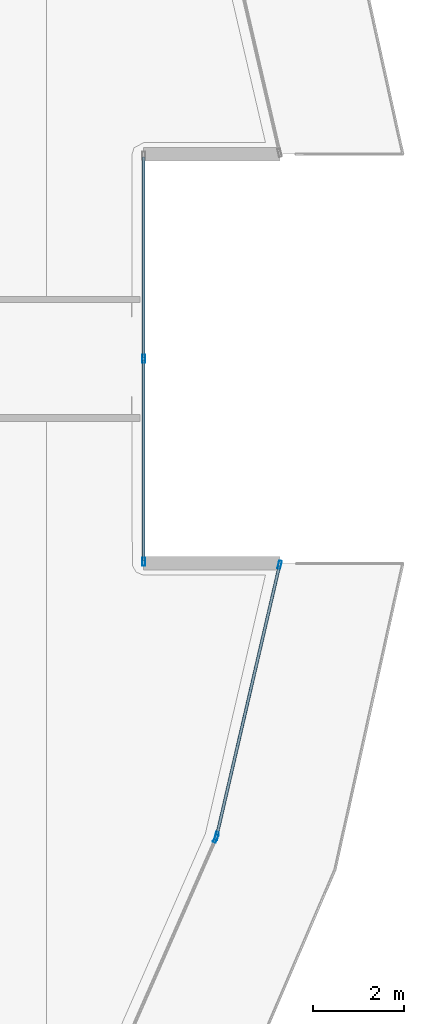
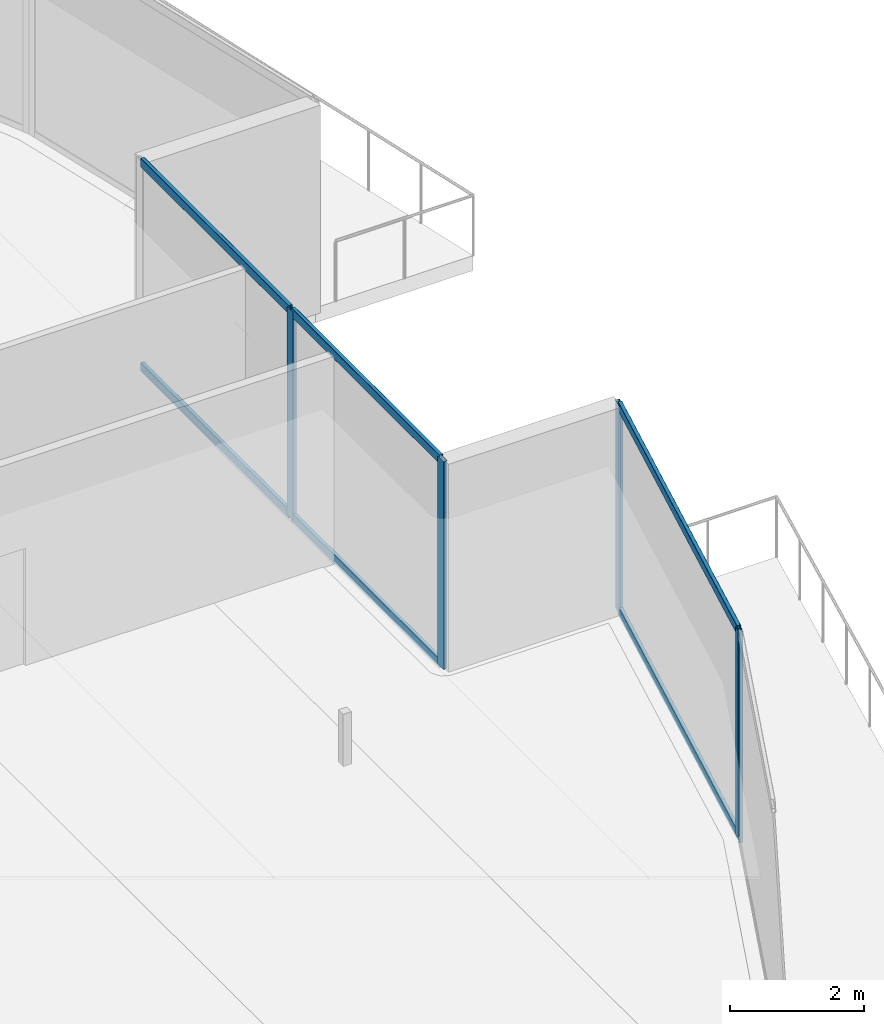
# One storey, part 14 of 36: 11 members, 3 elements without a shape of their own.
"""IFC4 building model written with IfcOpenShell, lengths in metres."""

import ifcopenshell
import ifcopenshell.guid

model = None  # the IFC model being written
_history = None  # IfcOwnerHistory: only IFC2X3 demands one
_inside = {}  # id of a spatial element -> (the spatial element, [elements in it])
_under = {}  # id of a project, library or spatial element -> (it, [spatial elements below it])
_declared = {}  # id of a project -> (the project, [libraries it declares])
_typed = {}  # id of a type object -> (the type object, [elements of that type])
_made_of = {}  # id of a material, layer set ... -> (it, [elements and type objects made of it])


def new_model(schema):
    """Start an empty IFC model of exactly this schema.

    Asked for "IFC4X3", IfcOpenShell would pick the latest addendum, in which some entities
    have other attributes; the version numbers below select the first issue.
    IFC2X3 requires an IfcOwnerHistory on every rooted entity: one is made here for all.
    """
    global model, _history
    if schema == "IFC4X3":
        model = ifcopenshell.file(schema_version=(4, 3, 0, 0))
    else:
        model = ifcopenshell.file(schema=schema)
    _inside.clear()
    _under.clear()
    _declared.clear()
    _typed.clear()
    _made_of.clear()
    _history = None
    if model.schema == "IFC2X3":
        org = make("IfcOrganization", Name="unknown")
        user = make(
            "IfcPersonAndOrganization",
            ThePerson=make("IfcPerson", FamilyName="unknown"),
            TheOrganization=org,
        )
        app = make(
            "IfcApplication",
            ApplicationDeveloper=org,
            Version="unknown",
            ApplicationFullName="unknown",
            ApplicationIdentifier="unknown",
        )
        _history = make(
            "IfcOwnerHistory",
            OwningUser=user,
            OwningApplication=app,
            ChangeAction="ADDED",
            CreationDate=0,
        )
    return model


def make(cls, **values):
    """One entity of the class cls with the attributes given. An attribute that is None is left unset."""
    return model.create_entity(
        cls, **{name: value for name, value in values.items() if value is not None}
    )


def rooted(cls, **values):
    """An entity with a GlobalId (a new one), such as an element, a storey or a relation."""
    return make(cls, GlobalId=ifcopenshell.guid.new(), OwnerHistory=_history, **values)


def si_unit(unit_type, name, prefix=None):
    """IfcSIUnit, for example si_unit("LENGTHUNIT", "METRE", prefix="MILLI")."""
    return make("IfcSIUnit", UnitType=unit_type, Prefix=prefix, Name=name)


def assignment(units):
    """IfcUnitAssignment: the units of a project."""
    return None if units is None else make("IfcUnitAssignment", Units=units)


def point(xyz):
    """IfcCartesianPoint."""
    return None if xyz is None else make("IfcCartesianPoint", Coordinates=xyz)


def direction(xyz):
    """IfcDirection."""
    return None if xyz is None else make("IfcDirection", DirectionRatios=xyz)


def frame(location, z_axis=None, x_axis=None):
    """IfcAxis2Placement3D, a coordinate frame: its origin and axes. An axis left out is left unset."""
    return make(
        "IfcAxis2Placement3D",
        Location=point(location),
        Axis=direction(z_axis),
        RefDirection=direction(x_axis),
    )


def frame_2d(location, x_axis=None):
    """IfcAxis2Placement2D, a coordinate frame in the plane: its origin and x axis."""
    return make(
        "IfcAxis2Placement2D", Location=point(location), RefDirection=direction(x_axis)
    )


def origin():
    """The frame at (0, 0, 0) with its axes left unset."""
    return frame((0.0, 0.0, 0.0))


def origin_2d():
    """The frame at (0, 0) in the plane with its x axis left unset."""
    return frame_2d((0.0, 0.0))


def place(relative_to, where):
    """IfcLocalPlacement: puts the frame where relative to a parent placement (None: the world)."""
    return make(
        "IfcLocalPlacement", PlacementRelTo=relative_to, RelativePlacement=where
    )


def context(
    kind, dimensions, precision=None, world=None, true_north=None, identifier=None
):
    """IfcGeometricRepresentationContext, for example the 3D "Model" context."""
    return make(
        "IfcGeometricRepresentationContext",
        ContextIdentifier=identifier,
        ContextType=kind,
        CoordinateSpaceDimension=dimensions,
        Precision=precision,
        WorldCoordinateSystem=world,
        TrueNorth=true_north,
    )


def subcontext(parent, identifier, kind, view, scale=None):
    """IfcGeometricRepresentationSubContext, for example "Body" below "Model"."""
    return make(
        "IfcGeometricRepresentationSubContext",
        ContextIdentifier=identifier,
        ContextType=kind,
        ParentContext=parent,
        TargetScale=scale,
        TargetView=view,
    )


def project(units=None, contexts=None):
    """IfcProject with its units and contexts."""
    return rooted(
        "IfcProject",
        Name="project",
        RepresentationContexts=contexts,
        UnitsInContext=assignment(units),
    )


def spatial(cls, under=None, at=None, **own):
    """A site, building, storey or space (cls), placed at a placement, below another one or the project."""
    s = rooted(cls, ObjectPlacement=at, **own)
    if under is not None:
        _under.setdefault(under.id(), (under, []))[1].append(s)
    return s


def profile(cls, at=None, kind="AREA", **sizes):
    """A parametric profile (cls). Its sizes go by their IFC names, for example OverallWidth=200.0."""
    return make(cls, ProfileType=kind, Position=at, **sizes)


def hollow_rectangle(**sizes):
    """IfcRectangleHollowProfileDef."""
    return profile("IfcRectangleHollowProfileDef", **sizes)


def extrude(swept, where, along, depth):
    """IfcExtrudedAreaSolid: the profile swept, set in the frame where, extruded along a direction by depth."""
    return make(
        "IfcExtrudedAreaSolid",
        SweptArea=swept,
        Position=where,
        ExtrudedDirection=direction(along),
        Depth=depth,
    )


def shape(context_of_items, identifier, shape_type, items):
    """IfcShapeRepresentation: the items that make up one representation, for example the "Body"."""
    return make(
        "IfcShapeRepresentation",
        ContextOfItems=context_of_items,
        RepresentationIdentifier=identifier,
        RepresentationType=shape_type,
        Items=items,
    )


def material(Name=None, Category=None):
    """IfcMaterial."""
    return make("IfcMaterial", Name=Name, Category=Category)


def layer(
    of_material, thickness, ventilated=None, Name=None, Category=None, Priority=None
):
    """IfcMaterialLayer: one layer of a wall or slab, of a material (None: an air gap)."""
    return make(
        "IfcMaterialLayer",
        Material=of_material,
        LayerThickness=thickness,
        IsVentilated=ventilated,
        Name=Name,
        Category=Category,
        Priority=Priority,
    )


def layer_set(layers, Name=None):
    """IfcMaterialLayerSet."""
    return make("IfcMaterialLayerSet", MaterialLayers=layers, LayerSetName=Name)


def material_profile(
    of_material, cross_section, Name=None, Category=None, Priority=None
):
    """IfcMaterialProfile: a cross section and its material."""
    return make(
        "IfcMaterialProfile",
        Name=Name,
        Material=of_material,
        Profile=cross_section,
        Priority=Priority,
        Category=Category,
    )


def profile_set(profiles, Name=None, composite=None):
    """IfcMaterialProfileSet."""
    return make(
        "IfcMaterialProfileSet",
        Name=Name,
        MaterialProfiles=profiles,
        CompositeProfile=composite,
    )


def made_of(thing, what):
    """Note that an element or type object is made of a material, layer set ...; save() writes the relation."""
    if what is not None:
        _made_of.setdefault(what.id(), (what, []))[1].append(thing)
    return thing


def type_object(cls, material=None, **own):
    """A type object (cls), such as IfcWallType, which elements share."""
    return made_of(rooted(cls, **own), material)


def element(
    cls,
    number,
    at=None,
    inside=None,
    cuts=None,
    type_object=None,
    material=None,
    context=None,
    identifier="Body",
    shape_type=None,
    held_by="IfcProductDefinitionShape",
    body=None,
    shapes=None,
    **own,
):
    """One element of the class cls, such as IfcWall. Its Tag is "e" and its number.

    at: its placement. inside: the storey or other place that contains it. cuts: it is an
    opening in that element (IfcRelVoidsElement). A single representation is given by context,
    identifier, shape_type and body (its items); several are given by shapes. held_by: the class
    of the entity that holds the representations. save() writes the other relations.
    """
    e = rooted(cls, Tag="e%d" % number, ObjectPlacement=at, **own)
    if body is not None:
        shapes = [shape(context, identifier, shape_type, body)]
    if shapes is not None:
        e.Representation = make(held_by, Representations=shapes)
    if inside is not None:
        _inside.setdefault(inside.id(), (inside, []))[1].append(e)
    if cuts is not None:
        rooted(
            "IfcRelVoidsElement", RelatingBuildingElement=cuts, RelatedOpeningElement=e
        )
    if type_object is not None:
        _typed.setdefault(type_object.id(), (type_object, []))[1].append(e)
    return made_of(e, material)


def aggregate(whole, parts):
    """IfcRelAggregates: a whole, such as a stair, and the parts it consists of."""
    return rooted("IfcRelAggregates", RelatingObject=whole, RelatedObjects=parts)


def save(model, path):
    """Write the relations noted so far, then the file.

    IfcRelAggregates (storeys below a building ...), IfcRelContainedInSpatialStructure (elements
    in a storey), IfcRelDefinesByType, IfcRelAssociatesMaterial and IfcRelDeclares: one each for
    every whole, place, type object, material and project.
    """
    for whole, parts in _under.values():
        aggregate(whole, parts)
    for where, things in _inside.values():
        rooted(
            "IfcRelContainedInSpatialStructure",
            RelatedElements=things,
            RelatingStructure=where,
        )
    for kind, things in _typed.values():
        rooted("IfcRelDefinesByType", RelatedObjects=things, RelatingType=kind)
    for what, things in _made_of.values():
        rooted("IfcRelAssociatesMaterial", RelatedObjects=things, RelatingMaterial=what)
    for by, libraries in _declared.values():
        rooted("IfcRelDeclares", RelatingContext=by, RelatedDefinitions=libraries)
    model.write(path)


model = new_model("IFC4")

# Units and contexts
model_context = context("Model", 3, precision=1e-05, world=origin(), true_north=direction((0.0, 1.0)))
body_context = subcontext(model_context, "Body", "Model", "MODEL_VIEW")
ifc_project = project(units=[si_unit("LENGTHUNIT", "METRE"), si_unit("AREAUNIT", "SQUARE_METRE"), si_unit("VOLUMEUNIT", "CUBIC_METRE"), si_unit("PLANEANGLEUNIT", "RADIAN"), si_unit("MASSUNIT", "GRAM", prefix="KILO")], contexts=[model_context])

# Site, building, storey
site_placement = place(None, origin())
site = spatial("IfcSite", under=ifc_project, at=site_placement, CompositionType="ELEMENT")
building_placement = place(site_placement, origin())
building = spatial("IfcBuilding", under=site, at=building_placement, Name="Qorvath Tower", CompositionType="ELEMENT")
storey_placement = place(building_placement, frame((0.0, 0.0, 192.89990234375)))
storey = spatial("IfcBuildingStorey", under=building, at=storey_placement, Name="L44", CompositionType="ELEMENT", Elevation=192.89990234375)

# Curtain wall, member
ifc_material_1 = material(Name="Anodised aluminium and triple low-E glass", Category="aluminium")
ifc_layer = layer(ifc_material_1, 0.179931640625)
ifc_layer_set = layer_set([ifc_layer], Name="CW-SYS-3")
curtain_wall_type = type_object("IfcCurtainWallType", Name="CW-SYS-3", PredefinedType="NOTDEFINED", material=ifc_layer_set)
curtain_wall_1_placement = place(storey_placement, origin())
curtain_wall_1 = element("IfcCurtainWall", 1, at=curtain_wall_1_placement, inside=storey, type_object=curtain_wall_type, Name="Curtain Wall CW-3 CW-T-L44-6.1", PredefinedType="NOTDEFINED")
ifc_material_2 = material(Name="Anodised aluminium 6063-T6", Category="aluminium")
ifc_material_profile_1 = material_profile(ifc_material_2, hollow_rectangle(XDim=0.06494140625, YDim=0.179931640625, WallThickness=0.00341796875, InnerFilletRadius=0.00341796875, OuterFilletRadius=0.007080078125, at=origin_2d()), Name="CWM 180x65")
ifc_profile_set_1 = profile_set([ifc_material_profile_1], Name="Anodised aluminium 6063-T6")
member_type_1 = type_object("IfcMemberType", Name="CWM-180", PredefinedType="MULLION", material=ifc_profile_set_1)
member_1_placement = place(storey_placement, frame((0.2646484375, -10.603515625, 0.0), z_axis=(0.0, 0.0, 1.0), x_axis=(-0.915498802884, 0.402320695364, 0.0)))
member_1 = element("IfcMember", 2, at=member_1_placement, type_object=member_type_1, Name="CW-3 mullion 2", PredefinedType="MULLION", context=body_context, shape_type="SweptSolid", body=[
    extrude(hollow_rectangle(XDim=0.06494140625, YDim=0.179931640625, WallThickness=0.00341796875, InnerFilletRadius=0.00341796875, OuterFilletRadius=0.007080078125, at=origin_2d()), origin(), (0.0, 0.0, 1.0), 3.780029296875),
])
aggregate(curtain_wall_1, [member_1])

# Curtain wall, members
curtain_wall_2_placement = place(storey_placement, origin())
curtain_wall_2 = element("IfcCurtainWall", 3, at=curtain_wall_2_placement, inside=storey, type_object=curtain_wall_type, Name="Curtain Wall CW-3 CW-T-L44-7.1", PredefinedType="NOTDEFINED")
member_2_placement = place(storey_placement, frame((0.28515625, -10.5419921875, 0.0), z_axis=(0.0, 0.0, 1.0), x_axis=(-0.974064216624, 0.226271743469, 0.0)))
member_2 = element("IfcMember", 4, at=member_2_placement, type_object=member_type_1, Name="CW-3 mullion 1", PredefinedType="MULLION", context=body_context, shape_type="SweptSolid", body=[
    extrude(hollow_rectangle(XDim=0.06494140625, YDim=0.179931640625, WallThickness=0.00341796875, InnerFilletRadius=0.00341796875, OuterFilletRadius=0.007080078125, at=origin_2d()), origin(), (0.0, 0.0, 1.0), 3.780029296875),
])
member_3_placement = place(storey_placement, frame((1.6767578125, -4.551513671875, 0.0), z_axis=(0.0, 0.0, 1.0), x_axis=(-0.974064216624, 0.226271743469, 0.0)))
member_3 = element("IfcMember", 5, at=member_3_placement, type_object=member_type_1, Name="CW-3 mullion 2", PredefinedType="MULLION", context=body_context, shape_type="SweptSolid", body=[
    extrude(hollow_rectangle(XDim=0.06494140625, YDim=0.179931640625, WallThickness=0.00341796875, InnerFilletRadius=0.00341796875, OuterFilletRadius=0.007080078125, at=origin_2d()), origin(), (0.0, 0.0, 1.0), 3.780029296875),
])

curtain_wall_3_placement = place(storey_placement, origin())
curtain_wall_3 = element("IfcCurtainWall", 6, at=curtain_wall_3_placement, inside=storey, type_object=curtain_wall_type, Name="Curtain Wall CW-3 CW-T-L44-9.1", PredefinedType="NOTDEFINED")
member_4_placement = place(storey_placement, frame((-1.3291015625, -4.4873046875, 0.0), z_axis=(0.0, 0.0, 1.0), x_axis=(-1.0, 0.0, 0.0)))
member_4 = element("IfcMember", 7, at=member_4_placement, type_object=member_type_1, Name="CW-3 mullion 1", PredefinedType="MULLION", context=body_context, shape_type="SweptSolid", body=[
    extrude(hollow_rectangle(XDim=0.06494140625, YDim=0.179931640625, WallThickness=0.00341796875, InnerFilletRadius=0.00341796875, OuterFilletRadius=0.007080078125, at=origin_2d()), origin(), (0.0, 0.0, 1.0), 3.780029296875),
])
member_5_placement = place(storey_placement, frame((-1.3291015625, 0.0, 0.0), z_axis=(0.0, 0.0, 1.0), x_axis=(-1.0, 0.0, 0.0)))
member_5 = element("IfcMember", 8, at=member_5_placement, type_object=member_type_1, Name="CW-3 mullion 2", PredefinedType="MULLION", context=body_context, shape_type="SweptSolid", body=[
    extrude(hollow_rectangle(XDim=0.06494140625, YDim=0.179931640625, WallThickness=0.00341796875, InnerFilletRadius=0.00341796875, OuterFilletRadius=0.007080078125, at=origin_2d()), origin(), (0.0, 0.0, 1.0), 3.780029296875),
])

# Member
ifc_material_3 = material(Name="Anodised aluminium 6063-T6", Category="aluminium")
ifc_material_profile_2 = material_profile(ifc_material_3, hollow_rectangle(XDim=0.06494140625, YDim=0.159912109375, WallThickness=0.00341796875, InnerFilletRadius=0.00341796875, OuterFilletRadius=0.007080078125, at=origin_2d()), Name="CWT 160x65")
ifc_profile_set_2 = profile_set([ifc_material_profile_2], Name="Anodised aluminium 6063-T6")
member_type_2 = type_object("IfcMemberType", Name="CWT-160", PredefinedType="USERDEFINED", material=ifc_profile_set_2)
member_6_placement = place(storey_placement, frame((0.29248046875, -10.510498046875, 0.032470703125), z_axis=(0.226274499404, 0.974063576426, 0.0), x_axis=(-0.974063576426, 0.226274499404, 0.0)))
member_6 = element("IfcMember", 9, at=member_6_placement, type_object=member_type_2, Name="CW-3 transom 1.1", ObjectType="TRANSOM", PredefinedType="USERDEFINED", context=body_context, shape_type="SweptSolid", body=[
    extrude(hollow_rectangle(XDim=0.06494140625, YDim=0.159912109375, WallThickness=0.00341796875, InnerFilletRadius=0.00341796875, OuterFilletRadius=0.007080078125, at=origin_2d()), origin(), (0.0, 0.0, 1.0), 6.085205078125),
])

member_7_placement = place(storey_placement, frame((0.29248046875, -10.510498046875, 3.74755859375), z_axis=(0.226274499404, 0.974063576426, 0.0), x_axis=(-0.974063576426, 0.226274499404, 0.0)))
member_7 = element("IfcMember", 10, at=member_7_placement, type_object=member_type_2, Name="CW-3 transom 1.2", ObjectType="TRANSOM", PredefinedType="USERDEFINED", context=body_context, shape_type="SweptSolid", body=[
    extrude(hollow_rectangle(XDim=0.06494140625, YDim=0.159912109375, WallThickness=0.00341796875, InnerFilletRadius=0.00341796875, OuterFilletRadius=0.007080078125, at=origin_2d()), origin(), (0.0, 0.0, 1.0), 6.085205078125),
])

aggregate(curtain_wall_2, [member_2, member_3, member_6, member_7])

member_8_placement = place(storey_placement, frame((-1.3291015625, -4.454833984375, 0.032470703125), z_axis=(0.0, 1.0, 0.0), x_axis=(-1.0, 0.0, 0.0)))
member_8 = element("IfcMember", 11, at=member_8_placement, type_object=member_type_2, Name="CW-3 transom 1.1", ObjectType="TRANSOM", PredefinedType="USERDEFINED", context=body_context, shape_type="SweptSolid", body=[
    extrude(hollow_rectangle(XDim=0.06494140625, YDim=0.159912109375, WallThickness=0.00341796875, InnerFilletRadius=0.00341796875, OuterFilletRadius=0.007080078125, at=origin_2d()), origin(), (0.0, 0.0, 1.0), 4.42236328125),
])

member_9_placement = place(storey_placement, frame((-1.3291015625, -4.454833984375, 3.74755859375), z_axis=(0.0, 1.0, 0.0), x_axis=(-1.0, 0.0, 0.0)))
member_9 = element("IfcMember", 12, at=member_9_placement, type_object=member_type_2, Name="CW-3 transom 1.2", ObjectType="TRANSOM", PredefinedType="USERDEFINED", context=body_context, shape_type="SweptSolid", body=[
    extrude(hollow_rectangle(XDim=0.06494140625, YDim=0.159912109375, WallThickness=0.00341796875, InnerFilletRadius=0.00341796875, OuterFilletRadius=0.007080078125, at=origin_2d()), origin(), (0.0, 0.0, 1.0), 4.42236328125),
])

member_10_placement = place(storey_placement, frame((-1.3291015625, 0.032470703125, 0.032470703125), z_axis=(0.0, 1.0, 0.0), x_axis=(-1.0, 0.0, 0.0)))
member_10 = element("IfcMember", 13, at=member_10_placement, type_object=member_type_2, Name="CW-3 transom 2.1", ObjectType="TRANSOM", PredefinedType="USERDEFINED", context=body_context, shape_type="SweptSolid", body=[
    extrude(hollow_rectangle(XDim=0.06494140625, YDim=0.159912109375, WallThickness=0.00341796875, InnerFilletRadius=0.00341796875, OuterFilletRadius=0.007080078125, at=origin_2d()), origin(), (0.0, 0.0, 1.0), 4.42236328125),
])

member_11_placement = place(storey_placement, frame((-1.3291015625, 0.032470703125, 3.74755859375), z_axis=(0.0, 1.0, 0.0), x_axis=(-1.0, 0.0, 0.0)))
member_11 = element("IfcMember", 14, at=member_11_placement, type_object=member_type_2, Name="CW-3 transom 2.2", ObjectType="TRANSOM", PredefinedType="USERDEFINED", context=body_context, shape_type="SweptSolid", body=[
    extrude(hollow_rectangle(XDim=0.06494140625, YDim=0.159912109375, WallThickness=0.00341796875, InnerFilletRadius=0.00341796875, OuterFilletRadius=0.007080078125, at=origin_2d()), origin(), (0.0, 0.0, 1.0), 4.42236328125),
])

aggregate(curtain_wall_3, [member_4, member_5, member_8, member_9, member_10, member_11])

save(model, "model.ifc")
